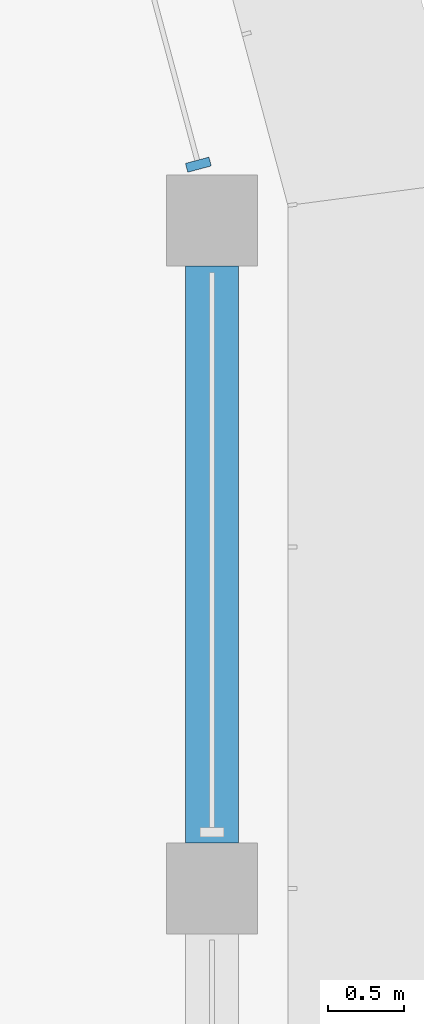
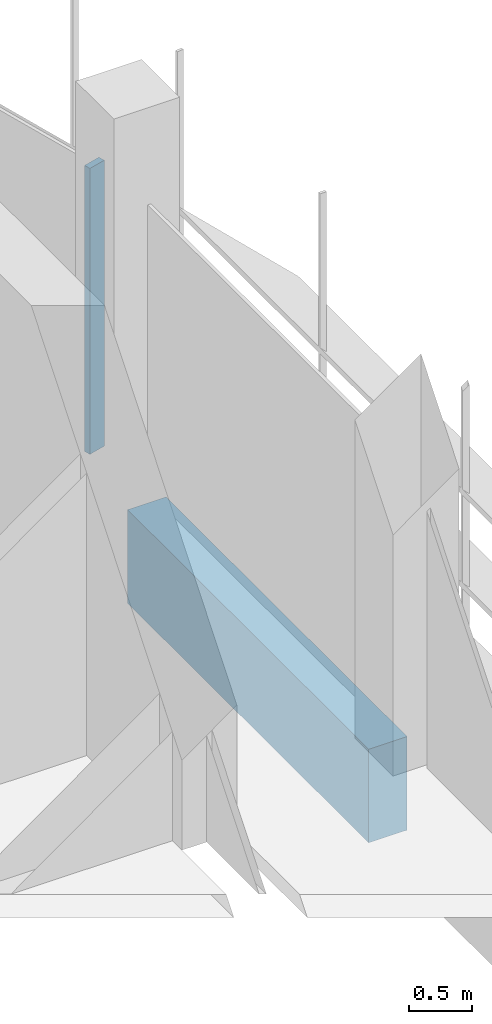
# One storey, part 10 of 20: 1 beam, 1 member, 1 element without a shape of its own.
"""IFC4 building model written with IfcOpenShell, lengths in metres."""

from ifc_helpers import new_model, si_unit, direction, frame, origin, origin_2d, place, context, subcontext, project, spatial, polyline, rectangle, outline, extrude, source, transform, mapped, material, material_profile, profile_set, type_object, element, aggregate, save


model = new_model("IFC4")

# Units and contexts
model_context = context("Model", 3, precision=1e-05, world=origin(), true_north=direction((0.0, 1.0)))
body_context = subcontext(model_context, "Body", "Model", "MODEL_VIEW")
ifc_project = project(units=[si_unit("LENGTHUNIT", "METRE"), si_unit("AREAUNIT", "SQUARE_METRE"), si_unit("VOLUMEUNIT", "CUBIC_METRE"), si_unit("PLANEANGLEUNIT", "RADIAN"), si_unit("MASSUNIT", "GRAM", prefix="KILO")], contexts=[model_context])

# Site, building, storey
site_placement = place(None, origin())
site = spatial("IfcSite", under=ifc_project, at=site_placement, CompositionType="ELEMENT")
building_placement = place(site_placement, origin())
building = spatial("IfcBuilding", under=site, at=building_placement, Name="Zarbagh Exchange Tower", CompositionType="ELEMENT")
storey_placement = place(building_placement, frame((0.0, 0.0, 249.800048828125)))
storey = spatial("IfcBuildingStorey", under=building, at=storey_placement, Name="L61", CompositionType="ELEMENT", Elevation=249.800048828125)

# Beam
ifc_material_1 = material(Name="Concrete C40/50", Category="concrete")
ifc_material_profile = material_profile(ifc_material_1, rectangle(XDim=0.35009765625, YDim=0.89990234375, at=origin_2d()), Name="RC spandrel beam 350 x 900 C40/50")
ifc_profile_set = profile_set([ifc_material_profile], Name="Concrete C40/50")
beam_type = type_object("IfcBeamType", Name="RC spandrel beam 350 x 900 C40/50", PredefinedType="SPANDREL", material=ifc_profile_set)
beam_placement = place(storey_placement, frame((6.25, 24.35009765625, -0.60009765625), z_axis=(0.0, -1.0, 0.0), x_axis=(1.0, 0.0, 0.0)))
element("IfcBeam", 1, at=beam_placement, inside=storey, type_object=beam_type, Name="RC spandrel beam", PredefinedType="SPANDREL", context=body_context, shape_type="SweptSolid", body=[
    extrude(rectangle(XDim=0.35009765625, YDim=0.89990234375, at=origin_2d()), origin(), (0.0, 0.0, 1.0), 3.800048828125),
])

# Curtain wall, member
ifc_material_2 = material(Name="Anodised aluminium frame and glazing", Category="aluminium")
curtain_wall_type = type_object("IfcCurtainWallType", Name="CWB Ribbon glazing, upper zones", PredefinedType="NOTDEFINED", material=ifc_material_2)
curtain_wall_placement = place(storey_placement, origin())
curtain_wall = element("IfcCurtainWall", 2, at=curtain_wall_placement, inside=storey, type_object=curtain_wall_type, Name="CWB68 curtain wall", PredefinedType="NOTDEFINED")
ifc_material_3 = material(Name="Anodised aluminium frame", Category="aluminium")
member_type = type_object("IfcMemberType", Name="MUB Mullion, anodised aluminium frame", PredefinedType="MULLION", material=ifc_material_3)
shared_shape = source(origin(), body_context, "Body", "SweptSolid", [
    extrude(outline(polyline([(0.0, -0.080078125), (0.06005859375, -0.080078125), (0.06005859375, 0.080078125), (0.0, 0.080078125), (0.0, -0.080078125)])), origin(), (0.0, 0.0, 1.0), 2.75),
])
member_placement = place(storey_placement, origin())
member = element("IfcMember", 3, at=member_placement, type_object=member_type, Name="CWB68 mullion 1.1", PredefinedType="MULLION", context=body_context, shape_type="MappedRepresentation", body=[
    mapped(shared_shape, transform((6.16796875, 24.989990234375, 0.0), x_axis=(-0.258824779902, 0.965924289636, 0.0), y_axis=(-0.965924289636, -0.258824779902, 0.0), z_axis=(0.0, 0.0, 1.0))),
])
aggregate(curtain_wall, [member])

save(model, "model.ifc")
